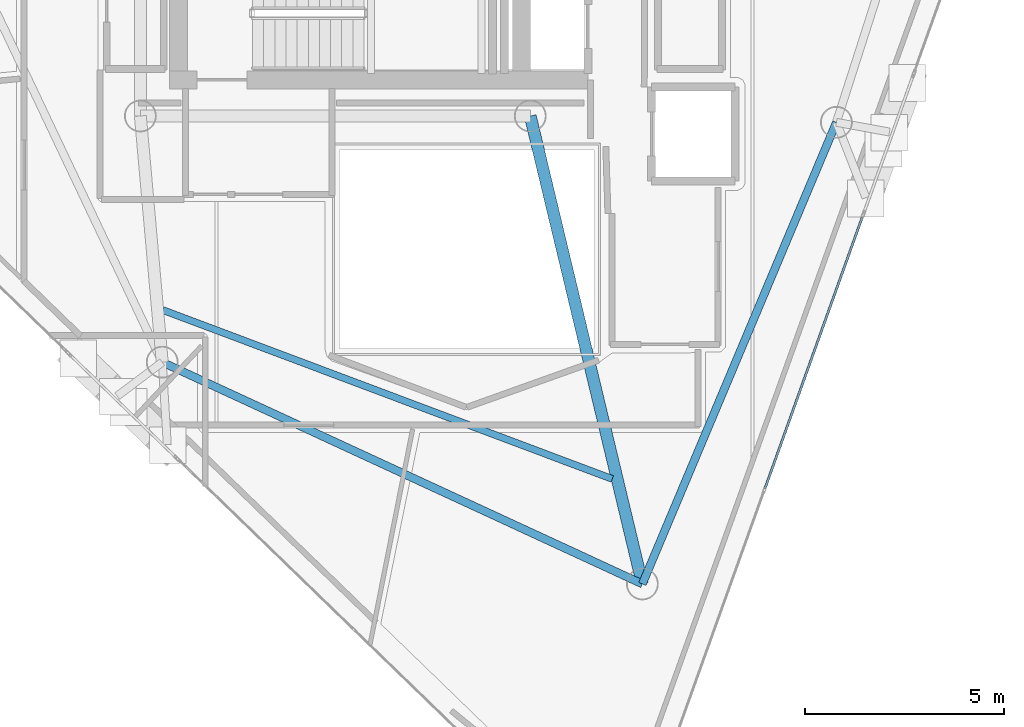
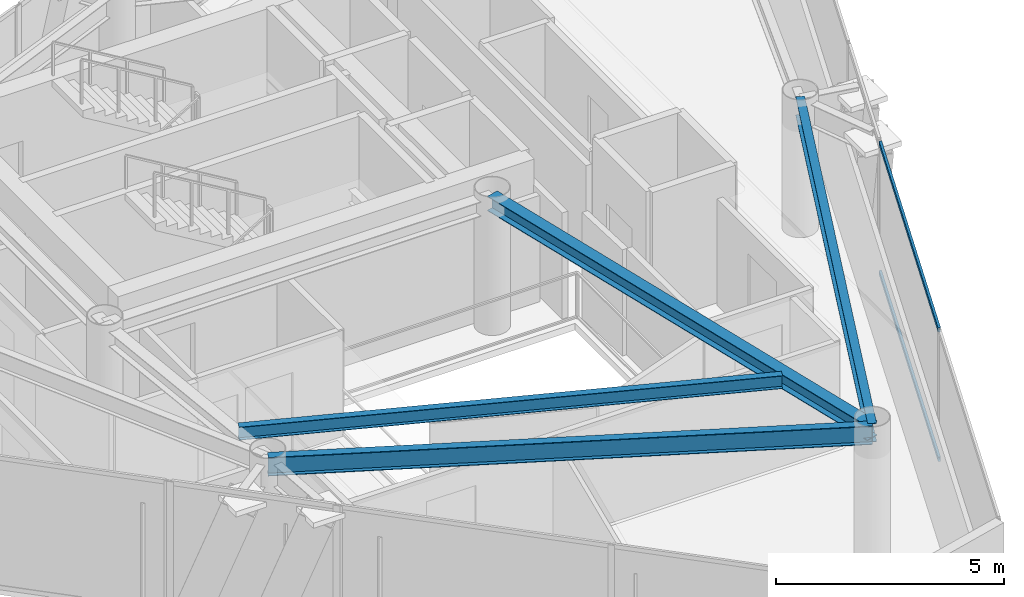
# One storey, part 5 of 19: 4 beams, 2 members, 1 element without a shape of its own.
"""IFC4 building model written with IfcOpenShell, lengths in metres."""

from ifc_helpers import new_model, si_unit, direction, frame, origin, origin_2d, place, context, subcontext, project, spatial, hollow_rectangle, i_section, extrude, material, layer, layer_set, material_profile, profile_set, type_object, element, aggregate, save


model = new_model("IFC4")

# Units and contexts
model_context = context("Model", 3, precision=1e-05, world=origin(), true_north=direction((0.0, 1.0)))
body_context = subcontext(model_context, "Body", "Model", "MODEL_VIEW")
ifc_project = project(units=[si_unit("LENGTHUNIT", "METRE"), si_unit("AREAUNIT", "SQUARE_METRE"), si_unit("VOLUMEUNIT", "CUBIC_METRE"), si_unit("PLANEANGLEUNIT", "RADIAN"), si_unit("MASSUNIT", "GRAM", prefix="KILO")], contexts=[model_context])

# Site, building, storey
site_placement = place(None, origin())
site = spatial("IfcSite", under=ifc_project, at=site_placement, CompositionType="ELEMENT")
building_placement = place(site_placement, origin())
building = spatial("IfcBuilding", under=site, at=building_placement, Name="Qianvela Tower", CompositionType="ELEMENT")
storey_placement = place(building_placement, frame((0.0, 0.0, 344.39990234375)))
storey = spatial("IfcBuildingStorey", under=building, at=storey_placement, Name="L89", CompositionType="ELEMENT", Elevation=344.39990234375)

# Beams
ifc_material_1 = material(Name="Steel Q355B", Category="steel")
ifc_material_profile_1 = material_profile(ifc_material_1, i_section(OverallWidth=0.300048828125, OverallDepth=0.389892578125, WebThickness=0.010009765625, FlangeThickness=0.01611328125, at=origin_2d()), Name="HM390x300x10x16")
ifc_profile_set_1 = profile_set([ifc_material_profile_1], Name="Steel Q355B")
beam_type_1 = type_object("IfcBeamType", Name="BM-HM390-COLL", PredefinedType="BEAM", material=ifc_profile_set_1)
beam_1_placement = place(storey_placement, frame((38.39990234375, 23.85009765625, 3.322998046875), z_axis=(0.232920204523, -0.97249585003, 0.0), x_axis=(0.97249585003, 0.232920204523, 0.0)))
element("IfcBeam", 1, at=beam_1_placement, inside=storey, type_object=beam_type_1, Name="L89 Radial Primary Floor Girder 5", PredefinedType="BEAM", context=body_context, shape_type="SweptSolid", body=[
    extrude(i_section(OverallWidth=0.300048828125, OverallDepth=0.389892578125, WebThickness=0.010009765625, FlangeThickness=0.01611328125, at=origin_2d()), origin(), (0.0, 0.0, 1.0), 12.094970703125),
])
ifc_material_2 = material(Name="Steel Q355B", Category="steel")
ifc_material_profile_2 = material_profile(ifc_material_2, i_section(OverallWidth=0.175048828125, OverallDepth=0.35009765625, WebThickness=0.007080078125, FlangeThickness=0.010986328125, at=origin_2d()), Name="HN350x175x7x11")
ifc_profile_set_2 = profile_set([ifc_material_profile_2], Name="Steel Q355B")
beam_type_2 = type_object("IfcBeamType", Name="BM-HN350-JOIST", PredefinedType="JOIST", material=ifc_profile_set_2)
beam_2_placement = place(storey_placement, frame((29.165771484375, 18.971923828125, 3.343017578125), z_axis=(0.936076156518, -0.351797426366, 0.0), x_axis=(0.351797426366, 0.936076156518, 0.0)))
element("IfcBeam", 2, at=beam_2_placement, inside=storey, type_object=beam_type_2, Name="L89 Secondary Composite Floor Joist 4.3", PredefinedType="JOIST", context=body_context, shape_type="SweptSolid", body=[
    extrude(i_section(OverallWidth=0.175048828125, OverallDepth=0.35009765625, WebThickness=0.007080078125, FlangeThickness=0.010986328125, at=origin_2d()), origin(), (0.0, 0.0, 1.0), 12.066162109375),
])
ifc_material_3 = material(Name="Steel Q355B", Category="steel")
ifc_material_profile_3 = material_profile(ifc_material_3, i_section(OverallWidth=0.199951171875, OverallDepth=0.5, WebThickness=0.010009765625, FlangeThickness=0.01611328125, at=origin_2d()), Name="HN500x200x10x16")
ifc_profile_set_3 = profile_set([ifc_material_profile_3], Name="Steel Q355B")
beam_type_3 = type_object("IfcBeamType", Name="BM-HN500-GIRD", PredefinedType="BEAM", material=ifc_profile_set_3)
beam_3_placement = place(storey_placement, frame((29.14990234375, 17.662109375, 3.26806640625), z_axis=(0.907822793776, -0.419353997359, 0.0), x_axis=(0.419353997359, 0.907822793776, 0.0)))
element("IfcBeam", 3, at=beam_3_placement, inside=storey, type_object=beam_type_3, Name="L89 Perimeter Ring Spandrel Girder 4", PredefinedType="BEAM", context=body_context, shape_type="SweptSolid", body=[
    extrude(i_section(OverallWidth=0.199951171875, OverallDepth=0.5, WebThickness=0.010009765625, FlangeThickness=0.01611328125, at=origin_2d()), origin(), (0.0, 0.0, 1.0), 13.29248046875),
])
beam_4_placement = place(storey_placement, frame((41.217041015625, 12.087890625, 3.26806640625), z_axis=(0.387547057173, 0.921849921883, 0.0), x_axis=(-0.921849921883, 0.387547057173, 0.0)))
element("IfcBeam", 4, at=beam_4_placement, inside=storey, type_object=beam_type_3, Name="L89 Perimeter Ring Spandrel Girder 5", PredefinedType="BEAM", context=body_context, shape_type="SweptSolid", body=[
    extrude(i_section(OverallWidth=0.199951171875, OverallDepth=0.5, WebThickness=0.010009765625, FlangeThickness=0.01611328125, at=origin_2d()), origin(), (0.0, 0.0, 1.0), 12.586669921875),
])

# Curtain wall, members
ifc_material_4 = material(Name="Anodised Architectural Aluminium and Low-E Glass", Category="aluminium")
ifc_layer = layer(ifc_material_4, 0.14990234375)
ifc_layer_set = layer_set([ifc_layer], Name="Anodised Architectural Aluminium and Low-E Glass")
curtain_wall_type = type_object("IfcCurtainWallType", Name="CW-COLIV-Z78", PredefinedType="USERDEFINED", material=ifc_layer_set)
curtain_wall_placement = place(storey_placement, origin())
curtain_wall = element("IfcCurtainWall", 5, at=curtain_wall_placement, inside=storey, type_object=curtain_wall_type, Name="L89 CW-COLIV-Z78 Curtain Wall 06A", ObjectType="CURTAIN_WALL_SYSTEM", PredefinedType="USERDEFINED")
ifc_material_5 = material(Name="Anodised Architectural Aluminium 6063-T6", Category="aluminium")
ifc_material_profile_4 = material_profile(ifc_material_5, hollow_rectangle(XDim=0.06005859375, YDim=0.114990234375, WallThickness=0.00390625, at=origin_2d()), Name="ALU-TRAN-60x115")
ifc_profile_set_4 = profile_set([ifc_material_profile_4], Name="Anodised Architectural Aluminium 6063-T6")
member_type = type_object("IfcMemberType", Name="CW-COLIV-Z78-TRAN", PredefinedType="USERDEFINED", material=ifc_profile_set_4)
member_1_placement = place(storey_placement, frame((44.296630859375, 14.477783203125, 0.030029296875), z_axis=(0.337529936596, 0.941314794265, 0.0), x_axis=(-0.941314794265, 0.337529936596, 0.0)))
member_1 = element("IfcMember", 6, at=member_1_placement, type_object=member_type, Name="CW-6 transom 2.1", ObjectType="TRANSOM", PredefinedType="USERDEFINED", context=body_context, shape_type="SweptSolid", body=[
    extrude(hollow_rectangle(XDim=0.06005859375, YDim=0.114990234375, WallThickness=0.00390625, at=origin_2d()), origin(), (0.0, 0.0, 1.0), 7.2548828125),
])
member_2_placement = place(storey_placement, frame((44.296630859375, 14.477783203125, 3.489990234375), z_axis=(0.337529936596, 0.941314794265, 0.0), x_axis=(-0.941314794265, 0.337529936596, 0.0)))
member_2 = element("IfcMember", 7, at=member_2_placement, type_object=member_type, Name="CW-6 transom 2.2", ObjectType="TRANSOM", PredefinedType="USERDEFINED", context=body_context, shape_type="SweptSolid", body=[
    extrude(hollow_rectangle(XDim=0.06005859375, YDim=0.114990234375, WallThickness=0.00390625, at=origin_2d()), origin(), (0.0, 0.0, 1.0), 7.2548828125),
])
aggregate(curtain_wall, [member_1, member_2])

save(model, "model.ifc")
